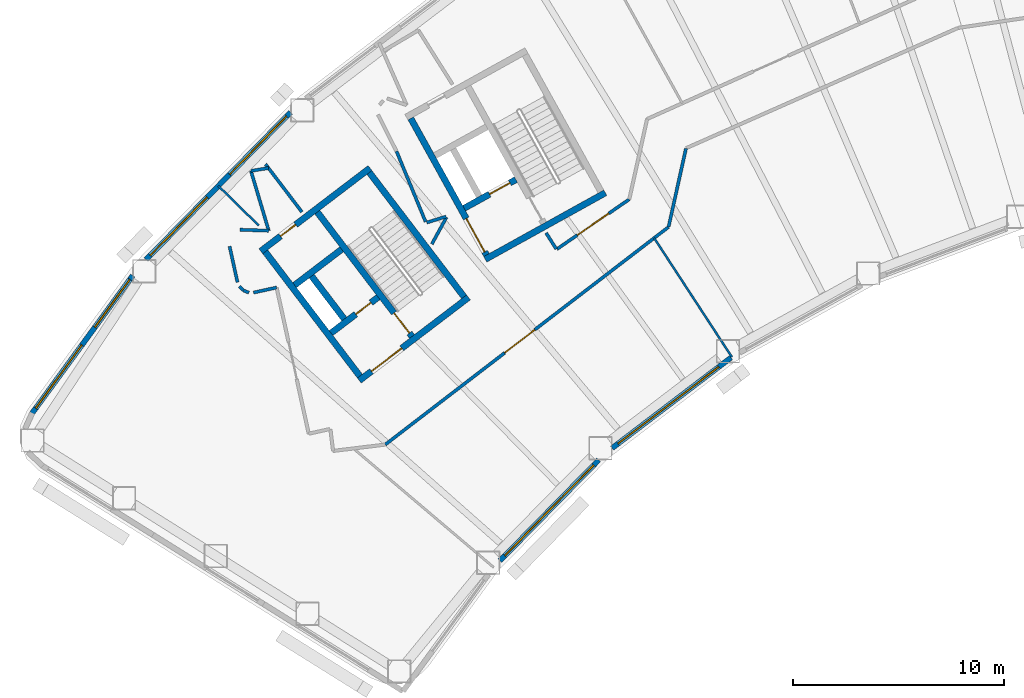
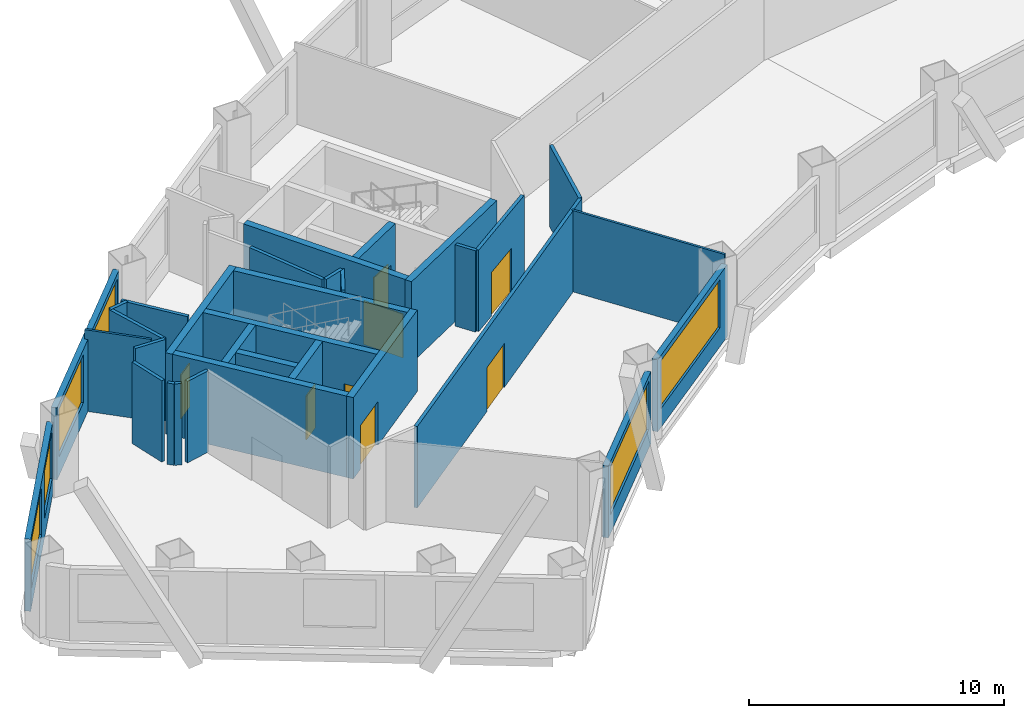
# One storey, part 3 of 11: 32 walls, 8 doors, 6 windows, 14 openings.
"""IFC4 building model written with IfcOpenShell, lengths in metres."""

from ifc_helpers import new_model, si_unit, direction, frame, frame_2d, origin, place, context, subcontext, project, spatial, rectangle, extrude, material, layer, layer_set, type_object, element, fill, save


model = new_model("IFC4")

# Units and contexts
model_context = context("Model", 3, precision=1e-05, world=origin(), true_north=direction((0.0, 1.0)))
body_context = subcontext(model_context, "Body", "Model", "MODEL_VIEW")
ifc_project = project(units=[si_unit("LENGTHUNIT", "METRE"), si_unit("AREAUNIT", "SQUARE_METRE"), si_unit("VOLUMEUNIT", "CUBIC_METRE"), si_unit("PLANEANGLEUNIT", "RADIAN"), si_unit("MASSUNIT", "GRAM", prefix="KILO")], contexts=[model_context])

# Site, building, storey
site_placement = place(None, origin())
site = spatial("IfcSite", under=ifc_project, at=site_placement, CompositionType="ELEMENT")
building_placement = place(site_placement, origin())
building = spatial("IfcBuilding", under=site, at=building_placement, Name="Tuul Gate Civic Tower", CompositionType="ELEMENT")
storey_placement = place(building_placement, frame((0.0, 0.0, 107.699951171875)))
storey = spatial("IfcBuildingStorey", under=building, at=storey_placement, Name="Level 24", CompositionType="ELEMENT", Elevation=107.699951171875)

# Wall, opening, door
ifc_material_1 = material(Name="Concrete C50/60", Category="concrete")
ifc_layer_1 = layer(ifc_material_1, 0.300048828125)
ifc_layer_set_1 = layer_set([ifc_layer_1], Name="Concrete C50/60")
wall_type_1 = type_object("IfcWallType", Name="Core wall C50/60", PredefinedType="SHEAR", material=ifc_layer_set_1)
wall_1_placement = place(storey_placement, frame((-31.19091796875, -13.669677734375, 0.0), z_axis=(0.0, 0.0, 1.0), x_axis=(-0.795606717756, -0.605813461934, 0.0)))
wall_1 = element("IfcWall", 1, at=wall_1_placement, inside=storey, type_object=wall_type_1, Name="Core wall", PredefinedType="SHEAR", context=body_context, shape_type="SweptSolid", body=[
    extrude(rectangle(XDim=6.5, YDim=0.300048828125, at=frame_2d((3.25, 0.0))), origin(), (0.0, 0.0, 1.0), 3.900146484375),
])
opening_1_placement = place(wall_1_placement, frame((3.97509765625, 0.0, 0.0)))
opening_1 = element("IfcOpeningElement", 2, at=opening_1_placement, cuts=wall_1, Name="Opening LB-W1-LOBBY-1", PredefinedType="OPENING", context=body_context, shape_type="SweptSolid", body=[
    extrude(rectangle(XDim=1.800048828125, YDim=2.10009765625, at=frame_2d((0.89990234375, 1.050048828125))), frame((0.0, 0.16015625, 0.0), z_axis=(0.0, -1.0, 0.0), x_axis=(1.0, 0.0, 0.0)), (0.0, 0.0, 1.0), 0.320068359375),
])
ifc_material_2 = material(Name="Steel", Category="steel")
door_type_1 = type_object("IfcDoorType", Name="Lobby door", OperationType="DOUBLE_DOOR_SINGLE_SWING", PredefinedType="DOOR", material=ifc_material_2)
door_1_placement = place(opening_1_placement, origin())
door_1 = element("IfcDoor", 3, at=door_1_placement, inside=storey, type_object=door_type_1, Name="Lobby door W1-LOBBY", OperationType="DOUBLE_DOOR_SINGLE_SWING", OverallHeight=2.10009765625, OverallWidth=1.800048828125, PredefinedType="DOOR", context=body_context, shape_type="SweptSolid", body=[
    extrude(rectangle(XDim=1.800048828125, YDim=2.10009765625, at=frame_2d((0.89990234375, 1.050048828125))), frame((0.0, 0.02490234375, 0.0), z_axis=(0.0, -1.0, 0.0), x_axis=(1.0, 0.0, 0.0)), (0.0, 0.0, 1.0), 0.050048828125),
])
fill(opening_1, door_1)

wall_2_placement = place(storey_placement, frame((-35.470947265625, -13.66064453125, 0.0), z_axis=(0.0, 0.0, 1.0), x_axis=(-0.795615822227, -0.605801504968, 0.0)))
wall_2 = element("IfcWall", 4, at=wall_2_placement, inside=storey, type_object=wall_type_1, Name="Core wall", PredefinedType="SHEAR", context=body_context, shape_type="SweptSolid", body=[
    extrude(rectangle(XDim=2.800048828125, YDim=0.300048828125, at=frame_2d((1.39990234375, 0.0))), origin(), (0.0, 0.0, 1.0), 3.900146484375),
])
opening_2_placement = place(wall_2_placement, frame((0.425048828125, 0.0, 0.0)))
opening_2 = element("IfcOpeningElement", 5, at=opening_2_placement, cuts=wall_2, Name="Opening FB-W1A1", PredefinedType="OPENING", context=body_context, shape_type="SweptSolid", body=[
    extrude(rectangle(XDim=0.89990234375, YDim=2.10009765625, at=frame_2d((0.449951171875, 1.050048828125))), frame((0.0, 0.16015625, 0.0), z_axis=(0.0, -1.0, 0.0), x_axis=(1.0, 0.0, 0.0)), (0.0, 0.0, 1.0), 0.320068359375),
])
ifc_material_3 = material(Name="Steel", Category="steel")
door_type_2 = type_object("IfcDoorType", Name="Store door", OperationType="NOTDEFINED", PredefinedType="DOOR", material=ifc_material_3)
door_2_placement = place(opening_2_placement, frame((0.89990234375, 0.0, 0.0), z_axis=(0.0, 0.0, 1.0), x_axis=(-1.0, 0.0, 0.0)))
door_2 = element("IfcDoor", 6, at=door_2_placement, inside=storey, type_object=door_type_2, Name="Store door W1A1", OperationType="SINGLE_SWING_RIGHT", OverallHeight=2.10009765625, OverallWidth=0.89990234375, PredefinedType="DOOR", context=body_context, shape_type="SweptSolid", body=[
    extrude(rectangle(XDim=0.89990234375, YDim=2.10009765625, at=frame_2d((0.449951171875, 1.050048828125))), frame((0.0, 0.02490234375, 0.0), z_axis=(0.0, -1.0, 0.0), x_axis=(1.0, 0.0, 0.0)), (0.0, 0.0, 1.0), 0.050048828125),
])
fill(opening_2, door_2)

# Wall
wall_3_placement = place(storey_placement, frame((-37.197509765625, -11.39306640625, 0.0), z_axis=(0.0, 0.0, 1.0), x_axis=(-0.795583820278, -0.605843531707, 0.0)))
element("IfcWall", 7, at=wall_3_placement, inside=storey, type_object=wall_type_1, Name="Core wall", PredefinedType="SHEAR", context=body_context, shape_type="SweptSolid", body=[
    extrude(rectangle(XDim=2.7998046875, YDim=0.300048828125, at=frame_2d((1.39990234375, 0.0))), origin(), (0.0, 0.0, 1.0), 3.900146484375),
])

# Wall, opening, door
wall_4_placement = place(storey_placement, frame((-35.855224609375, -7.543212890625, 0.0), z_axis=(0.0, 0.0, 1.0), x_axis=(-0.79563860527, -0.605771582202, 0.0)))
wall_4 = element("IfcWall", 8, at=wall_4_placement, inside=storey, type_object=wall_type_1, Name="Core wall", PredefinedType="SHEAR", context=body_context, shape_type="SweptSolid", body=[
    extrude(rectangle(XDim=6.5, YDim=0.300048828125, at=frame_2d((3.25, 0.0))), origin(), (0.0, 0.0, 1.0), 3.900146484375),
])
opening_3_placement = place(wall_4_placement, frame((4.425048828125, 0.0, 0.0)))
opening_3 = element("IfcOpeningElement", 9, at=opening_3_placement, cuts=wall_4, Name="Opening H-D17", PredefinedType="OPENING", context=body_context, shape_type="SweptSolid", body=[
    extrude(rectangle(XDim=0.89990234375, YDim=2.10009765625, at=frame_2d((0.449951171875, 1.050048828125))), frame((0.0, 0.16015625, 0.0), z_axis=(0.0, -1.0, 0.0), x_axis=(1.0, 0.0, 0.0)), (0.0, 0.0, 1.0), 0.320068359375),
])
ifc_material_4 = material(Name="Timber door leaf", Category="wood")
door_type_3 = type_object("IfcDoorType", Name="Door D09", OperationType="NOTDEFINED", PredefinedType="DOOR", material=ifc_material_4)
door_3_placement = place(opening_3_placement, origin())
door_3 = element("IfcDoor", 10, at=door_3_placement, inside=storey, type_object=door_type_3, Name="Door H-D17", OperationType="SINGLE_SWING_LEFT", OverallHeight=2.10009765625, OverallWidth=0.89990234375, PredefinedType="DOOR", context=body_context, shape_type="SweptSolid", body=[
    extrude(rectangle(XDim=0.89990234375, YDim=2.10009765625, at=frame_2d((0.449951171875, 1.050048828125))), frame((0.0, 0.02490234375, 0.0), z_axis=(0.0, -1.0, 0.0), x_axis=(1.0, 0.0, 0.0)), (0.0, 0.0, 1.0), 0.050048828125),
])
fill(opening_3, door_3)

# Wall
wall_5_placement = place(storey_placement, frame((-31.401123046875, -13.64111328125, 0.0), z_axis=(0.0, 0.0, 1.0), x_axis=(-0.605769822278, 0.795639945213, 0.0)))
element("IfcWall", 11, at=wall_5_placement, inside=storey, type_object=wall_type_1, Name="Core wall", PredefinedType="SHEAR", context=body_context, shape_type="SweptSolid", body=[
    extrude(rectangle(XDim=7.39990234375, YDim=0.300048828125, at=frame_2d((3.699951171875, 0.0))), origin(), (0.0, 0.0, 1.0), 3.900146484375),
])

# Wall, opening, door
wall_6_placement = place(storey_placement, frame((-33.867431640625, -15.51904296875, 0.0), z_axis=(0.0, 0.0, 1.0), x_axis=(-0.605769822278, 0.795639945213, 0.0)))
wall_6 = element("IfcWall", 12, at=wall_6_placement, inside=storey, type_object=wall_type_1, Name="Core wall", PredefinedType="SHEAR", context=body_context, shape_type="SweptSolid", body=[
    extrude(rectangle(XDim=7.39990234375, YDim=0.300048828125, at=frame_2d((3.699951171875, 0.0))), origin(), (0.0, 0.0, 1.0), 3.900146484375),
])
opening_4_placement = place(wall_6_placement, frame((0.199951171875, 0.0, 0.0)))
opening_4 = element("IfcOpeningElement", 13, at=opening_4_placement, cuts=wall_6, Name="Opening SD-ST-1", PredefinedType="OPENING", context=body_context, shape_type="SweptSolid", body=[
    extrude(rectangle(XDim=1.199951171875, YDim=2.10009765625, at=frame_2d((0.60009765625, 1.050048828125))), frame((0.0, 0.16015625, 0.0), z_axis=(0.0, -1.0, 0.0), x_axis=(1.0, 0.0, 0.0)), (0.0, 0.0, 1.0), 0.320068359375),
])
ifc_material_5 = material(Name="Steel", Category="steel")
door_type_4 = type_object("IfcDoorType", Name="Stair door", OperationType="NOTDEFINED", PredefinedType="DOOR", material=ifc_material_5)
door_4_placement = place(opening_4_placement, origin())
door_4 = element("IfcDoor", 14, at=door_4_placement, inside=storey, type_object=door_type_4, Name="Stair door ST-1", OperationType="SINGLE_SWING_LEFT", OverallHeight=2.10009765625, OverallWidth=1.199951171875, PredefinedType="DOOR", context=body_context, shape_type="SweptSolid", body=[
    extrude(rectangle(XDim=1.199951171875, YDim=2.10009765625, at=frame_2d((0.60009765625, 1.050048828125))), frame((0.0, 0.02490234375, 0.0), z_axis=(0.0, -1.0, 0.0), x_axis=(1.0, 0.0, 0.0)), (0.0, 0.0, 1.0), 0.050048828125),
])
fill(opening_4, door_4)

# Walls
wall_7_placement = place(storey_placement, frame((-37.073486328125, -14.6923828125, 0.0), z_axis=(0.0, 0.0, 1.0), x_axis=(-0.605728760074, 0.79567120673, 0.0)))
element("IfcWall", 15, at=wall_7_placement, inside=storey, type_object=wall_type_1, Name="Core wall", PredefinedType="SHEAR", context=body_context, shape_type="SweptSolid", body=[
    extrude(rectangle(XDim=2.550048828125, YDim=0.300048828125, at=frame_2d((1.27490234375, 0.0))), origin(), (0.0, 0.0, 1.0), 3.900146484375),
])
wall_8_placement = place(storey_placement, frame((-36.333984375, -17.397216796875, 0.0), z_axis=(0.0, 0.0, 1.0), x_axis=(-0.605753921168, 0.795652051458, 0.0)))
element("IfcWall", 16, at=wall_8_placement, inside=storey, type_object=wall_type_1, Name="Core wall", PredefinedType="SHEAR", context=body_context, shape_type="SweptSolid", body=[
    extrude(rectangle(XDim=7.400146484375, YDim=0.300048828125, at=frame_2d((3.7001953125, 0.0))), origin(), (0.0, 0.0, 1.0), 3.900146484375),
])
wall_9_placement = place(storey_placement, frame((-24.711669921875, -8.7158203125, 0.0), z_axis=(0.0, 0.0, 1.0), x_axis=(-0.874629909008, -0.484791215132, 0.0)))
element("IfcWall", 17, at=wall_9_placement, inside=storey, type_object=wall_type_1, Name="Core wall", PredefinedType="SHEAR", context=body_context, shape_type="SweptSolid", body=[
    extrude(rectangle(XDim=6.5, YDim=0.300048828125, at=frame_2d((3.25, 0.0))), origin(), (0.0, 0.0, 1.0), 3.900146484375),
])

# Wall, opening, door
wall_10_placement = place(storey_placement, frame((-28.94580078125, -8.090087890625, 0.0), z_axis=(0.0, 0.0, 1.0), x_axis=(-0.874629840737, -0.484791338301, 0.0)))
wall_10 = element("IfcWall", 18, at=wall_10_placement, inside=storey, type_object=wall_type_1, Name="Core wall", PredefinedType="SHEAR", context=body_context, shape_type="SweptSolid", body=[
    extrude(rectangle(XDim=2.800048828125, YDim=0.300048828125, at=frame_2d((1.39990234375, 0.0))), origin(), (0.0, 0.0, 1.0), 3.900146484375),
])
opening_5_placement = place(wall_10_placement, frame((0.324951171875, 0.0, 0.0)))
opening_5 = element("IfcOpeningElement", 19, at=opening_5_placement, cuts=wall_10, Name="Opening LD-FF-1", PredefinedType="OPENING", context=body_context, shape_type="SweptSolid", body=[
    extrude(rectangle(XDim=1.10009765625, YDim=2.10009765625, at=frame_2d((0.550048828125, 1.050048828125))), frame((0.0, 0.16015625, 0.0), z_axis=(0.0, -1.0, 0.0), x_axis=(1.0, 0.0, 0.0)), (0.0, 0.0, 1.0), 0.320068359375),
])
ifc_material_6 = material(Name="Stainless steel", Category="steel")
door_type_5 = type_object("IfcDoorType", Name="Landing door", OperationType="DOUBLE_DOOR_SLIDING", PredefinedType="DOOR", material=ifc_material_6)
door_5_placement = place(opening_5_placement, origin())
door_5 = element("IfcDoor", 20, at=door_5_placement, inside=storey, type_object=door_type_5, Name="Fire-fighting lift FF-1 landing door", OperationType="DOUBLE_DOOR_SLIDING", OverallHeight=2.10009765625, OverallWidth=1.10009765625, PredefinedType="DOOR", context=body_context, shape_type="SweptSolid", body=[
    extrude(rectangle(XDim=1.10009765625, YDim=2.10009765625, at=frame_2d((0.550048828125, 1.050048828125))), frame((0.0, 0.02490234375, 0.0), z_axis=(0.0, -1.0, 0.0), x_axis=(1.0, 0.0, 0.0)), (0.0, 0.0, 1.0), 0.050048828125),
])
fill(opening_5, door_5)

wall_11_placement = place(storey_placement, frame((-30.33837890625, -11.6630859375, 0.0), z_axis=(0.0, 0.0, 1.0), x_axis=(-0.484751894226, 0.874651702704, 0.0)))
wall_11 = element("IfcWall", 21, at=wall_11_placement, inside=storey, type_object=wall_type_1, Name="Core wall", PredefinedType="SHEAR", context=body_context, shape_type="SweptSolid", body=[
    extrude(rectangle(XDim=7.39990234375, YDim=0.300048828125, at=frame_2d((3.699951171875, 0.0))), origin(), (0.0, 0.0, 1.0), 3.900146484375),
])
opening_6_placement = place(wall_11_placement, frame((0.175048828125, 0.0, 0.0)))
opening_6 = element("IfcOpeningElement", 22, at=opening_6_placement, cuts=wall_11, Name="Opening LB-W2-FLOBBY-1", PredefinedType="OPENING", context=body_context, shape_type="SweptSolid", body=[
    extrude(rectangle(XDim=1.800048828125, YDim=2.10009765625, at=frame_2d((0.89990234375, 1.050048828125))), frame((0.0, 0.16015625, 0.0), z_axis=(0.0, -1.0, 0.0), x_axis=(1.0, 0.0, 0.0)), (0.0, 0.0, 1.0), 0.320068359375),
])
door_6_placement = place(opening_6_placement, frame((1.800048828125, 0.0, 0.0), z_axis=(0.0, 0.0, 1.0), x_axis=(-1.0, 0.0, 0.0)))
door_6 = element("IfcDoor", 23, at=door_6_placement, inside=storey, type_object=door_type_1, Name="Lobby door W2-FLOBBY", OperationType="DOUBLE_DOOR_SINGLE_SWING", OverallHeight=2.10009765625, OverallWidth=1.800048828125, PredefinedType="DOOR", context=body_context, shape_type="SweptSolid", body=[
    extrude(rectangle(XDim=1.800048828125, YDim=2.10009765625, at=frame_2d((0.900146484375, 1.050048828125))), frame((0.0, 0.02490234375, 0.0), z_axis=(0.0, -1.0, 0.0), x_axis=(1.0, 0.0, 0.0)), (0.0, 0.0, 1.0), 0.050048828125),
])
fill(opening_6, door_6)

ifc_material_7 = material(Name="Gypsum board partition")
ifc_layer_2 = layer(ifc_material_7, 0.14990234375)
ifc_layer_set_2 = layer_set([ifc_layer_2], Name="Gypsum board partition")
wall_type_2 = type_object("IfcWallType", Name="Corridor wall P150", PredefinedType="PARTITIONING", material=ifc_layer_set_2)
wall_12_placement = place(storey_placement, frame((-27.004638671875, -11.3837890625, 0.0), z_axis=(0.0, 0.0, 1.0), x_axis=(0.823611795326, 0.567153956699, 0.0)))
wall_12 = element("IfcWall", 24, at=wall_12_placement, inside=storey, type_object=wall_type_2, Name="p029", PredefinedType="PARTITIONING", context=body_context, shape_type="SweptSolid", body=[
    extrude(rectangle(XDim=4.1591796875, YDim=0.14990234375, at=frame_2d((2.07958984375, 0.0))), origin(), (0.0, 0.0, 1.0), 3.900146484375),
])
opening_7_placement = place(wall_12_placement, frame((1.1796875, 0.0, 0.0)))
opening_7 = element("IfcOpeningElement", 25, at=opening_7_placement, cuts=wall_12, Name="Opening H-D09", PredefinedType="OPENING", context=body_context, shape_type="SweptSolid", body=[
    extrude(rectangle(XDim=1.800048828125, YDim=2.10009765625, at=frame_2d((0.89990234375, 1.050048828125))), frame((0.0, 0.0849609375, 0.0), z_axis=(0.0, -1.0, 0.0), x_axis=(1.0, 0.0, 0.0)), (0.0, 0.0, 1.0), 0.169921875),
])
ifc_material_8 = material(Name="Timber door leaf, double", Category="wood")
door_type_6 = type_object("IfcDoorType", Name="Door D18", OperationType="DOUBLE_DOOR_SINGLE_SWING", PredefinedType="DOOR", material=ifc_material_8)
door_7_placement = place(opening_7_placement, frame((1.800048828125, 0.0, 0.0), z_axis=(0.0, 0.0, 1.0), x_axis=(-1.0, 0.0, 0.0)))
door_7 = element("IfcDoor", 26, at=door_7_placement, inside=storey, type_object=door_type_6, Name="Door H-D09", OperationType="DOUBLE_DOOR_SINGLE_SWING", OverallHeight=2.10009765625, OverallWidth=1.800048828125, PredefinedType="DOOR", context=body_context, shape_type="SweptSolid", body=[
    extrude(rectangle(XDim=1.800048828125, YDim=2.10009765625, at=frame_2d((0.900146484375, 1.050048828125))), frame((0.0, 0.02490234375, 0.0), z_axis=(0.0, -1.0, 0.0), x_axis=(1.0, 0.0, 0.0)), (0.0, 0.0, 1.0), 0.050048828125),
])
fill(opening_7, door_7)

# Walls
wall_13_placement = place(storey_placement, frame((-27.515625, -10.613037109375, 0.0), z_axis=(0.0, 0.0, 1.0), x_axis=(0.533078253111, -0.846065940728, 0.0)))
element("IfcWall", 27, at=wall_13_placement, inside=storey, type_object=wall_type_2, Name="p031", PredefinedType="PARTITIONING", context=body_context, shape_type="SweptSolid", body=[
    extrude(rectangle(XDim=0.904052734375, YDim=0.14990234375, at=frame_2d((0.4521484375, 0.0))), origin(), (0.0, 0.0, 1.0), 3.900146484375),
])
wall_14_placement = place(storey_placement, frame((-34.59765625, -6.75, 0.0), z_axis=(0.0, 0.0, 1.0), x_axis=(0.381059292189, -0.924550602096, 0.0)))
element("IfcWall", 28, at=wall_14_placement, inside=storey, type_object=wall_type_2, Name="p038", PredefinedType="PARTITIONING", context=body_context, shape_type="SweptSolid", body=[
    extrude(rectangle(XDim=3.6103515625, YDim=0.14990234375, at=frame_2d((1.80517578125, 0.0))), origin(), (0.0, 0.0, 1.0), 3.900146484375),
])
wall_15_placement = place(storey_placement, frame((-33.16357421875, -10.122314453125, 0.0), z_axis=(0.0, 0.0, 1.0), x_axis=(0.955346142768, 0.295488997254, 0.0)))
element("IfcWall", 29, at=wall_15_placement, inside=storey, type_object=wall_type_2, Name="p039", PredefinedType="PARTITIONING", context=body_context, shape_type="SweptSolid", body=[
    extrude(rectangle(XDim=0.953369140625, YDim=0.14990234375, at=frame_2d((0.4765625, 0.0))), origin(), (0.0, 0.0, 1.0), 3.900146484375),
])
wall_16_placement = place(storey_placement, frame((-32.92578125, -11.143310546875, 0.0), z_axis=(0.0, 0.0, 1.0), x_axis=(0.47973548541, 0.877413166096, 0.0)))
element("IfcWall", 30, at=wall_16_placement, inside=storey, type_object=wall_type_2, Name="p040", PredefinedType="PARTITIONING", context=body_context, shape_type="SweptSolid", body=[
    extrude(rectangle(XDim=1.451904296875, YDim=0.14990234375, at=frame_2d((0.72607421875, 0.0))), origin(), (0.0, 0.0, 1.0), 3.900146484375),
])
wall_17_placement = place(storey_placement, frame((-40.8037109375, -7.359130859375, 0.0), z_axis=(0.0, 0.0, 1.0), x_axis=(0.605725078966, -0.795674009071, 0.0)))
element("IfcWall", 31, at=wall_17_placement, inside=storey, type_object=wall_type_2, Name="p041", PredefinedType="PARTITIONING", context=body_context, shape_type="SweptSolid", body=[
    extrude(rectangle(XDim=2.84423828125, YDim=0.14990234375, at=frame_2d((1.422119140625, 0.0))), origin(), (0.0, 0.0, 1.0), 3.900146484375),
])
wall_18_placement = place(storey_placement, frame((-41.4931640625, -7.67822265625, 0.0), z_axis=(0.0, 0.0, 1.0), x_axis=(0.986914959922, 0.161241625775, 0.0)))
element("IfcWall", 32, at=wall_18_placement, inside=storey, type_object=wall_type_2, Name="p042", PredefinedType="PARTITIONING", context=body_context, shape_type="SweptSolid", body=[
    extrude(rectangle(XDim=0.84033203125, YDim=0.14990234375, at=frame_2d((0.420166015625, 0.0))), origin(), (0.0, 0.0, 1.0), 3.900146484375),
])
wall_19_placement = place(storey_placement, frame((-41.4931640625, -7.67822265625, 0.0), z_axis=(0.0, 0.0, 1.0), x_axis=(0.285339395908, -0.958426538209, 0.0)))
element("IfcWall", 33, at=wall_19_placement, inside=storey, type_object=wall_type_2, Name="p043", PredefinedType="PARTITIONING", context=body_context, shape_type="SweptSolid", body=[
    extrude(rectangle(XDim=2.9560546875, YDim=0.14990234375, at=frame_2d((1.47802734375, 0.0))), origin(), (0.0, 0.0, 1.0), 3.900146484375),
])
wall_20_placement = place(storey_placement, frame((-42.003173828125, -10.4638671875, 0.0), z_axis=(0.0, 0.0, 1.0), x_axis=(0.999381997764, -0.035151423082, 0.0)))
element("IfcWall", 34, at=wall_20_placement, inside=storey, type_object=wall_type_2, Name="p045", PredefinedType="PARTITIONING", context=body_context, shape_type="SweptSolid", body=[
    extrude(rectangle(XDim=1.354248046875, YDim=0.14990234375, at=frame_2d((0.67724609375, 0.0))), origin(), (0.0, 0.0, 1.0), 3.900146484375),
])
wall_21_placement = place(storey_placement, frame((-42.505126953125, -11.248779296875, 0.0), z_axis=(0.0, 0.0, 1.0), x_axis=(0.214674657513, -0.976685615447, 0.0)))
element("IfcWall", 35, at=wall_21_placement, inside=storey, type_object=wall_type_2, Name="p047", PredefinedType="PARTITIONING", context=body_context, shape_type="SweptSolid", body=[
    extrude(rectangle(XDim=1.7421875, YDim=0.14990234375, at=frame_2d((0.87109375, 0.0))), origin(), (0.0, 0.0, 1.0), 3.900146484375),
])
wall_22_placement = place(storey_placement, frame((-42.047607421875, -13.14404296875, 0.0), z_axis=(0.0, 0.0, 1.0), x_axis=(0.714510426493, -0.699624792608, 0.0)))
element("IfcWall", 36, at=wall_22_placement, inside=storey, type_object=wall_type_2, Name="p048", PredefinedType="PARTITIONING", context=body_context, shape_type="SweptSolid", body=[
    extrude(rectangle(XDim=0.27880859375, YDim=0.14990234375, at=frame_2d((0.139404296875, 0.0))), origin(), (0.0, 0.0, 1.0), 3.900146484375),
])
wall_23_placement = place(storey_placement, frame((-41.848388671875, -13.339111328125, 0.0), z_axis=(0.0, 0.0, 1.0), x_axis=(0.927514396304, -0.373787432438, 0.0)))
element("IfcWall", 37, at=wall_23_placement, inside=storey, type_object=wall_type_2, Name="p049", PredefinedType="PARTITIONING", context=body_context, shape_type="SweptSolid", body=[
    extrude(rectangle(XDim=0.28076171875, YDim=0.14990234375, at=frame_2d((0.140380859375, 0.0))), origin(), (0.0, 0.0, 1.0), 3.900146484375),
])
wall_24_placement = place(storey_placement, frame((-41.370361328125, -13.44140625, 0.0), z_axis=(0.0, 0.0, 1.0), x_axis=(0.976662802871, 0.214778419513, 0.0)))
element("IfcWall", 38, at=wall_24_placement, inside=storey, type_object=wall_type_2, Name="p050", PredefinedType="PARTITIONING", context=body_context, shape_type="SweptSolid", body=[
    extrude(rectangle(XDim=1.117431640625, YDim=0.14990234375, at=frame_2d((0.55859375, 0.0))), origin(), (0.0, 0.0, 1.0), 3.900146484375),
])

# Wall, opening, door
wall_25_placement = place(storey_placement, frame((-35.131103515625, -20.638671875, 0.0), z_axis=(0.0, 0.0, 1.0), x_axis=(0.793050354542, 0.6091560844, 0.0)))
wall_25 = element("IfcWall", 39, at=wall_25_placement, inside=storey, type_object=wall_type_2, Name="p070", PredefinedType="PARTITIONING", context=body_context, shape_type="SweptSolid", body=[
    extrude(rectangle(XDim=16.9150390625, YDim=0.14990234375, at=frame_2d((8.45751953125, 0.0))), origin(), (0.0, 0.0, 1.0), 3.900146484375),
])
opening_8_placement = place(wall_25_placement, frame((7.128173828125, 0.0, 0.0)))
opening_8 = element("IfcOpeningElement", 40, at=opening_8_placement, cuts=wall_25, Name="Opening H-D13", PredefinedType="OPENING", context=body_context, shape_type="SweptSolid", body=[
    extrude(rectangle(XDim=1.800048828125, YDim=2.10009765625, at=frame_2d((0.89990234375, 1.050048828125))), frame((0.0, 0.0849609375, 0.0), z_axis=(0.0, -1.0, 0.0), x_axis=(1.0, 0.0, 0.0)), (0.0, 0.0, 1.0), 0.169921875),
])
door_8_placement = place(opening_8_placement, frame((1.800048828125, 0.0, 0.0), z_axis=(0.0, 0.0, 1.0), x_axis=(-1.0, 0.0, 0.0)))
door_8 = element("IfcDoor", 41, at=door_8_placement, inside=storey, type_object=door_type_6, Name="Door H-D13", OperationType="DOUBLE_DOOR_SINGLE_SWING", OverallHeight=2.10009765625, OverallWidth=1.800048828125, PredefinedType="DOOR", context=body_context, shape_type="SweptSolid", body=[
    extrude(rectangle(XDim=1.800048828125, YDim=2.10009765625, at=frame_2d((0.900146484375, 1.050048828125))), frame((0.0, 0.02490234375, 0.0), z_axis=(0.0, -1.0, 0.0), x_axis=(1.0, 0.0, 0.0)), (0.0, 0.0, 1.0), 0.050048828125),
])
fill(opening_8, door_8)

# Wall
wall_26_placement = place(storey_placement, frame((-21.7158203125, -10.33349609375, 0.0), z_axis=(0.0, 0.0, 1.0), x_axis=(0.216652269261, 0.97624883827, 0.0)))
element("IfcWall", 42, at=wall_26_placement, inside=storey, type_object=wall_type_2, Name="p071", PredefinedType="PARTITIONING", context=body_context, shape_type="SweptSolid", body=[
    extrude(rectangle(XDim=3.81005859375, YDim=0.14990234375, at=frame_2d((1.905029296875, 0.0))), origin(), (0.0, 0.0, 1.0), 3.900146484375),
])

# Wall, openings, windows
ifc_material_9 = material(Name="Precast concrete C40/50", Category="concrete")
ifc_layer_3 = layer(ifc_material_9, 0.25)
ifc_layer_set_3 = layer_set([ifc_layer_3], Name="Precast concrete C40/50")
wall_type_3 = type_object("IfcWallType", Name="External wall", PredefinedType="STANDARD", material=ifc_layer_set_3)
wall_27_placement = place(storey_placement, frame((-39.618896484375, -4.901611328125, 0.0), z_axis=(0.0, 0.0, 1.0), x_axis=(-0.699999704783, -0.714143132224, 0.0)))
wall_27 = element("IfcWall", 43, at=wall_27_placement, inside=storey, type_object=wall_type_3, Name="External wall", PredefinedType="STANDARD", context=body_context, shape_type="SweptSolid", body=[
    extrude(rectangle(XDim=9.770263671875, YDim=0.25, at=frame_2d((4.88525390625, 0.0))), origin(), (0.0, 0.0, 1.0), 3.449951171875),
])
opening_9_placement = place(wall_27_placement, frame((0.273193359375, 0.0, 0.89990234375)))
opening_9 = element("IfcOpeningElement", 44, at=opening_9_placement, cuts=wall_27, Name="Opening W22", PredefinedType="OPENING", context=body_context, shape_type="SweptSolid", body=[
    extrude(rectangle(XDim=3.85009765625, YDim=2.300048828125, at=frame_2d((1.925048828125, 1.14990234375))), frame((0.0, 0.135009765625, 0.0), z_axis=(0.0, -1.0, 0.0), x_axis=(1.0, 0.0, 0.0)), (0.0, 0.0, 1.0), 0.27001953125),
])
opening_10_placement = place(wall_27_placement, frame((5.64453125, 0.0, 0.89990234375)))
opening_10 = element("IfcOpeningElement", 45, at=opening_10_placement, cuts=wall_27, Name="Opening W22", PredefinedType="OPENING", context=body_context, shape_type="SweptSolid", body=[
    extrude(rectangle(XDim=3.85009765625, YDim=2.300048828125, at=frame_2d((1.925048828125, 1.14990234375))), frame((0.0, 0.135009765625, 0.0), z_axis=(0.0, -1.0, 0.0), x_axis=(1.0, 0.0, 0.0)), (0.0, 0.0, 1.0), 0.27001953125),
])
ifc_material_10 = material(Name="Glass", Category="glass")
window_type_1 = type_object("IfcWindowType", Name="Window W22 3850 x 2300", PartitioningType="SINGLE_PANEL", PredefinedType="WINDOW", material=ifc_material_10)
window_1_placement = place(opening_9_placement, origin())
window_1 = element("IfcWindow", 46, at=window_1_placement, inside=storey, type_object=window_type_1, Name="Window", OverallHeight=2.300048828125, OverallWidth=3.85009765625, PartitioningType="SINGLE_PANEL", PredefinedType="WINDOW", context=body_context, shape_type="SweptSolid", body=[
    extrude(rectangle(XDim=3.85009765625, YDim=2.300048828125, at=frame_2d((1.925048828125, 1.14990234375))), frame((0.0, 0.030029296875, 0.0), z_axis=(0.0, -1.0, 0.0), x_axis=(1.0, 0.0, 0.0)), (0.0, 0.0, 1.0), 0.06005859375),
])
fill(opening_9, window_1)
window_2_placement = place(opening_10_placement, origin())
window_2 = element("IfcWindow", 47, at=window_2_placement, inside=storey, type_object=window_type_1, Name="Window", OverallHeight=2.300048828125, OverallWidth=3.85009765625, PartitioningType="SINGLE_PANEL", PredefinedType="WINDOW", context=body_context, shape_type="SweptSolid", body=[
    extrude(rectangle(XDim=3.85009765625, YDim=2.300048828125, at=frame_2d((1.925048828125, 1.14990234375))), frame((0.0, 0.030029296875, 0.0), z_axis=(0.0, -1.0, 0.0), x_axis=(1.0, 0.0, 0.0)), (0.0, 0.0, 1.0), 0.06005859375),
])
fill(opening_10, window_2)

wall_28_placement = place(storey_placement, frame((-47.093017578125, -12.6318359375, 0.0), z_axis=(0.0, 0.0, 1.0), x_axis=(-0.589890871529, -0.807482977955, 0.0)))
wall_28 = element("IfcWall", 48, at=wall_28_placement, inside=storey, type_object=wall_type_3, Name="External wall", PredefinedType="STANDARD", context=body_context, shape_type="SweptSolid", body=[
    extrude(rectangle(XDim=8.0830078125, YDim=0.25, at=frame_2d((4.04150390625, 0.0))), origin(), (0.0, 0.0, 1.0), 3.449951171875),
])
opening_11_placement = place(wall_28_placement, frame((0.23046875, 0.0, 0.89990234375)))
opening_11 = element("IfcOpeningElement", 49, at=opening_11_placement, cuts=wall_28, Name="Opening W23", PredefinedType="OPENING", context=body_context, shape_type="SweptSolid", body=[
    extrude(rectangle(XDim=2.800048828125, YDim=2.300048828125, at=frame_2d((1.39990234375, 1.14990234375))), frame((0.0, 0.135009765625, 0.0), z_axis=(0.0, -1.0, 0.0), x_axis=(1.0, 0.0, 0.0)), (0.0, 0.0, 1.0), 0.27001953125),
])
opening_12_placement = place(wall_28_placement, frame((4.08203125, 0.0, 0.89990234375)))
opening_12 = element("IfcOpeningElement", 50, at=opening_12_placement, cuts=wall_28, Name="Opening W21", PredefinedType="OPENING", context=body_context, shape_type="SweptSolid", body=[
    extrude(rectangle(XDim=3.699951171875, YDim=2.300048828125, at=frame_2d((1.85009765625, 1.14990234375))), frame((0.0, 0.135009765625, 0.0), z_axis=(0.0, -1.0, 0.0), x_axis=(1.0, 0.0, 0.0)), (0.0, 0.0, 1.0), 0.27001953125),
])
ifc_material_11 = material(Name="Glass", Category="glass")
window_type_2 = type_object("IfcWindowType", Name="Window W21 3700 x 2300", PartitioningType="SINGLE_PANEL", PredefinedType="WINDOW", material=ifc_material_11)
window_3_placement = place(opening_12_placement, origin())
window_3 = element("IfcWindow", 51, at=window_3_placement, inside=storey, type_object=window_type_2, Name="Window", OverallHeight=2.300048828125, OverallWidth=3.699951171875, PartitioningType="SINGLE_PANEL", PredefinedType="WINDOW", context=body_context, shape_type="SweptSolid", body=[
    extrude(rectangle(XDim=3.699951171875, YDim=2.300048828125, at=frame_2d((1.85009765625, 1.14990234375))), frame((0.0, 0.030029296875, 0.0), z_axis=(0.0, -1.0, 0.0), x_axis=(1.0, 0.0, 0.0)), (0.0, 0.0, 1.0), 0.06005859375),
])
fill(opening_12, window_3)
ifc_material_12 = material(Name="Glass", Category="glass")
window_type_3 = type_object("IfcWindowType", Name="Window W23 2800 x 2300", PartitioningType="SINGLE_PANEL", PredefinedType="WINDOW", material=ifc_material_12)
window_4_placement = place(opening_11_placement, origin())
window_4 = element("IfcWindow", 52, at=window_4_placement, inside=storey, type_object=window_type_3, Name="Window", OverallHeight=2.300048828125, OverallWidth=2.800048828125, PartitioningType="SINGLE_PANEL", PredefinedType="WINDOW", context=body_context, shape_type="SweptSolid", body=[
    extrude(rectangle(XDim=2.800048828125, YDim=2.300048828125, at=frame_2d((1.39990234375, 1.14990234375))), frame((0.0, 0.030029296875, 0.0), z_axis=(0.0, -1.0, 0.0), x_axis=(1.0, 0.0, 0.0)), (0.0, 0.0, 1.0), 0.06005859375),
])
fill(opening_11, window_4)

# Wall, opening, window
wall_29_placement = place(storey_placement, frame((-29.701904296875, -26.141357421875, 0.0), z_axis=(0.0, 0.0, 1.0), x_axis=(0.700005324082, 0.714137624171, 0.0)))
wall_29 = element("IfcWall", 53, at=wall_29_placement, inside=storey, type_object=wall_type_3, Name="External wall", PredefinedType="STANDARD", context=body_context, shape_type="SweptSolid", body=[
    extrude(rectangle(XDim=6.685546875, YDim=0.25, at=frame_2d((3.3427734375, 0.0))), origin(), (0.0, 0.0, 1.0), 3.449951171875),
])
opening_13_placement = place(wall_29_placement, frame((0.341552734375, 0.0, 0.89990234375)))
opening_13 = element("IfcOpeningElement", 54, at=opening_13_placement, cuts=wall_29, Name="Opening W26", PredefinedType="OPENING", context=body_context, shape_type="SweptSolid", body=[
    extrude(rectangle(XDim=6.0, YDim=2.300048828125, at=frame_2d((3.0, 1.14990234375))), frame((0.0, 0.135009765625, 0.0), z_axis=(0.0, -1.0, 0.0), x_axis=(1.0, 0.0, 0.0)), (0.0, 0.0, 1.0), 0.27001953125),
])
ifc_material_13 = material(Name="Glass", Category="glass")
window_type_4 = type_object("IfcWindowType", Name="Window W26 6000 x 2300", PartitioningType="SINGLE_PANEL", PredefinedType="WINDOW", material=ifc_material_13)
window_5_placement = place(opening_13_placement, origin())
window_5 = element("IfcWindow", 55, at=window_5_placement, inside=storey, type_object=window_type_4, Name="Window", OverallHeight=2.300048828125, OverallWidth=6.0, PartitioningType="SINGLE_PANEL", PredefinedType="WINDOW", context=body_context, shape_type="SweptSolid", body=[
    extrude(rectangle(XDim=6.0, YDim=2.300048828125, at=frame_2d((3.0, 1.14990234375))), frame((0.0, 0.030029296875, 0.0), z_axis=(0.0, -1.0, 0.0), x_axis=(1.0, 0.0, 0.0)), (0.0, 0.0, 1.0), 0.06005859375),
])
fill(opening_13, window_5)

wall_30_placement = place(storey_placement, frame((-24.387939453125, -20.806640625, 0.0), z_axis=(0.0, 0.0, 1.0), x_axis=(0.79558062628, 0.60584772599, 0.0)))
wall_30 = element("IfcWall", 56, at=wall_30_placement, inside=storey, type_object=wall_type_3, Name="External wall", PredefinedType="STANDARD", context=body_context, shape_type="SweptSolid", body=[
    extrude(rectangle(XDim=7.07470703125, YDim=0.25, at=frame_2d((3.537353515625, 0.0))), origin(), (0.0, 0.0, 1.0), 3.449951171875),
])
opening_14_placement = place(wall_30_placement, frame((0.3525390625, 0.0, 0.89990234375)))
opening_14 = element("IfcOpeningElement", 57, at=opening_14_placement, cuts=wall_30, Name="Opening W26", PredefinedType="OPENING", context=body_context, shape_type="SweptSolid", body=[
    extrude(rectangle(XDim=6.0, YDim=2.300048828125, at=frame_2d((3.0, 1.14990234375))), frame((0.0, 0.135009765625, 0.0), z_axis=(0.0, -1.0, 0.0), x_axis=(1.0, 0.0, 0.0)), (0.0, 0.0, 1.0), 0.27001953125),
])
window_6_placement = place(opening_14_placement, origin())
window_6 = element("IfcWindow", 58, at=window_6_placement, inside=storey, type_object=window_type_4, Name="Window", OverallHeight=2.300048828125, OverallWidth=6.0, PartitioningType="SINGLE_PANEL", PredefinedType="WINDOW", context=body_context, shape_type="SweptSolid", body=[
    extrude(rectangle(XDim=6.0, YDim=2.300048828125, at=frame_2d((3.0, 1.14990234375))), frame((0.0, 0.030029296875, 0.0), z_axis=(0.0, -1.0, 0.0), x_axis=(1.0, 0.0, 0.0)), (0.0, 0.0, 1.0), 0.06005859375),
])
fill(opening_14, window_6)

# Walls
ifc_material_14 = material(Name="Gypsum board partition")
ifc_layer_4 = layer(ifc_material_14, 0.10009765625)
ifc_layer_set_4 = layer_set([ifc_layer_4], Name="Gypsum board partition")
wall_type_4 = type_object("IfcWallType", Name="Partition P100", PredefinedType="PARTITIONING", material=ifc_layer_set_4)
wall_31_placement = place(storey_placement, frame((-43.04150390625, -8.385986328125, 0.0), z_axis=(0.0, 0.0, 1.0), x_axis=(0.714148429826, -0.699994300103, 0.0)))
element("IfcWall", 59, at=wall_31_placement, inside=storey, type_object=wall_type_4, Name="p027", PredefinedType="PARTITIONING", context=body_context, shape_type="SweptSolid", body=[
    extrude(rectangle(XDim=2.69091796875, YDim=0.10009765625, at=frame_2d((1.345458984375, 0.0))), origin(), (0.0, 0.0, 1.0), 3.900146484375),
])
wall_32_placement = place(storey_placement, frame((-22.3974609375, -10.85791015625, 0.0), z_axis=(0.0, 0.0, 1.0), x_axis=(0.546732343592, -0.837307437248, 0.0)))
element("IfcWall", 60, at=wall_32_placement, inside=storey, type_object=wall_type_4, Name="p069", PredefinedType="PARTITIONING", context=body_context, shape_type="SweptSolid", body=[
    extrude(rectangle(XDim=6.731689453125, YDim=0.10009765625, at=frame_2d((3.36572265625, 0.0))), origin(), (0.0, 0.0, 1.0), 3.900146484375),
])

save(model, "model.ifc")
